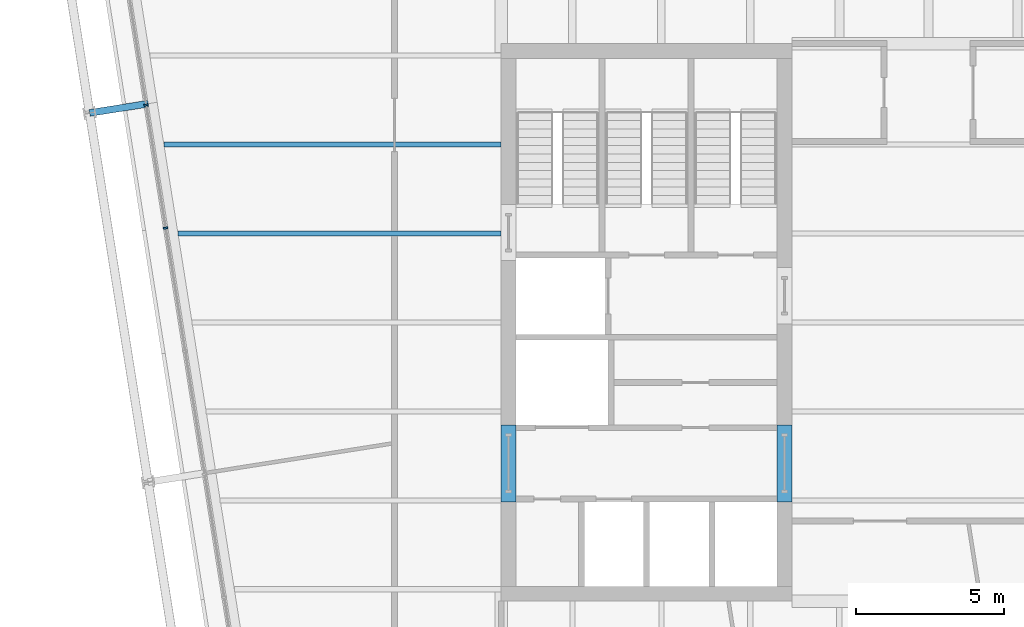
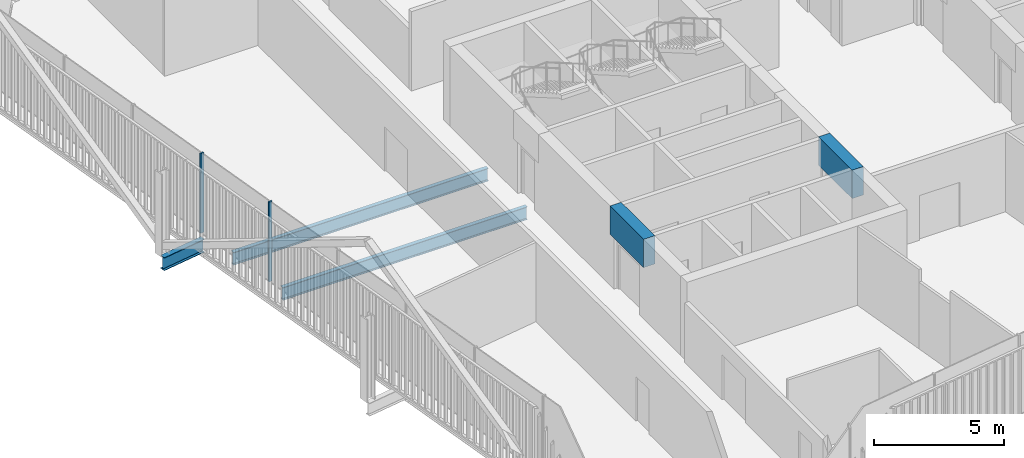
# One storey, part 7 of 21: 5 beams, 2 members, 1 element without a shape of its own.
"""IFC4 building model written with IfcOpenShell, lengths in metres."""

import ifcopenshell
import ifcopenshell.guid

model = None  # the IFC model being written
_history = None  # IfcOwnerHistory: only IFC2X3 demands one
_inside = {}  # id of a spatial element -> (the spatial element, [elements in it])
_under = {}  # id of a project, library or spatial element -> (it, [spatial elements below it])
_declared = {}  # id of a project -> (the project, [libraries it declares])
_typed = {}  # id of a type object -> (the type object, [elements of that type])
_made_of = {}  # id of a material, layer set ... -> (it, [elements and type objects made of it])


def new_model(schema):
    """Start an empty IFC model of exactly this schema.

    Asked for "IFC4X3", IfcOpenShell would pick the latest addendum, in which some entities
    have other attributes; the version numbers below select the first issue.
    IFC2X3 requires an IfcOwnerHistory on every rooted entity: one is made here for all.
    """
    global model, _history
    if schema == "IFC4X3":
        model = ifcopenshell.file(schema_version=(4, 3, 0, 0))
    else:
        model = ifcopenshell.file(schema=schema)
    _inside.clear()
    _under.clear()
    _declared.clear()
    _typed.clear()
    _made_of.clear()
    _history = None
    if model.schema == "IFC2X3":
        org = make("IfcOrganization", Name="unknown")
        user = make(
            "IfcPersonAndOrganization",
            ThePerson=make("IfcPerson", FamilyName="unknown"),
            TheOrganization=org,
        )
        app = make(
            "IfcApplication",
            ApplicationDeveloper=org,
            Version="unknown",
            ApplicationFullName="unknown",
            ApplicationIdentifier="unknown",
        )
        _history = make(
            "IfcOwnerHistory",
            OwningUser=user,
            OwningApplication=app,
            ChangeAction="ADDED",
            CreationDate=0,
        )
    return model


def make(cls, **values):
    """One entity of the class cls with the attributes given. An attribute that is None is left unset."""
    return model.create_entity(
        cls, **{name: value for name, value in values.items() if value is not None}
    )


def rooted(cls, **values):
    """An entity with a GlobalId (a new one), such as an element, a storey or a relation."""
    return make(cls, GlobalId=ifcopenshell.guid.new(), OwnerHistory=_history, **values)


def si_unit(unit_type, name, prefix=None):
    """IfcSIUnit, for example si_unit("LENGTHUNIT", "METRE", prefix="MILLI")."""
    return make("IfcSIUnit", UnitType=unit_type, Prefix=prefix, Name=name)


def assignment(units):
    """IfcUnitAssignment: the units of a project."""
    return None if units is None else make("IfcUnitAssignment", Units=units)


def point(xyz):
    """IfcCartesianPoint."""
    return None if xyz is None else make("IfcCartesianPoint", Coordinates=xyz)


def direction(xyz):
    """IfcDirection."""
    return None if xyz is None else make("IfcDirection", DirectionRatios=xyz)


def frame(location, z_axis=None, x_axis=None):
    """IfcAxis2Placement3D, a coordinate frame: its origin and axes. An axis left out is left unset."""
    return make(
        "IfcAxis2Placement3D",
        Location=point(location),
        Axis=direction(z_axis),
        RefDirection=direction(x_axis),
    )


def frame_2d(location, x_axis=None):
    """IfcAxis2Placement2D, a coordinate frame in the plane: its origin and x axis."""
    return make(
        "IfcAxis2Placement2D", Location=point(location), RefDirection=direction(x_axis)
    )


def origin():
    """The frame at (0, 0, 0) with its axes left unset."""
    return frame((0.0, 0.0, 0.0))


def origin_2d():
    """The frame at (0, 0) in the plane with its x axis left unset."""
    return frame_2d((0.0, 0.0))


def place(relative_to, where):
    """IfcLocalPlacement: puts the frame where relative to a parent placement (None: the world)."""
    return make(
        "IfcLocalPlacement", PlacementRelTo=relative_to, RelativePlacement=where
    )


def context(
    kind, dimensions, precision=None, world=None, true_north=None, identifier=None
):
    """IfcGeometricRepresentationContext, for example the 3D "Model" context."""
    return make(
        "IfcGeometricRepresentationContext",
        ContextIdentifier=identifier,
        ContextType=kind,
        CoordinateSpaceDimension=dimensions,
        Precision=precision,
        WorldCoordinateSystem=world,
        TrueNorth=true_north,
    )


def subcontext(parent, identifier, kind, view, scale=None):
    """IfcGeometricRepresentationSubContext, for example "Body" below "Model"."""
    return make(
        "IfcGeometricRepresentationSubContext",
        ContextIdentifier=identifier,
        ContextType=kind,
        ParentContext=parent,
        TargetScale=scale,
        TargetView=view,
    )


def project(units=None, contexts=None):
    """IfcProject with its units and contexts."""
    return rooted(
        "IfcProject",
        Name="project",
        RepresentationContexts=contexts,
        UnitsInContext=assignment(units),
    )


def spatial(cls, under=None, at=None, **own):
    """A site, building, storey or space (cls), placed at a placement, below another one or the project."""
    s = rooted(cls, ObjectPlacement=at, **own)
    if under is not None:
        _under.setdefault(under.id(), (under, []))[1].append(s)
    return s


def profile(cls, at=None, kind="AREA", **sizes):
    """A parametric profile (cls). Its sizes go by their IFC names, for example OverallWidth=200.0."""
    return make(cls, ProfileType=kind, Position=at, **sizes)


def rectangle(**sizes):
    """IfcRectangleProfileDef."""
    return profile("IfcRectangleProfileDef", **sizes)


def i_section(**sizes):
    """IfcIShapeProfileDef."""
    return profile("IfcIShapeProfileDef", **sizes)


def extrude(swept, where, along, depth):
    """IfcExtrudedAreaSolid: the profile swept, set in the frame where, extruded along a direction by depth."""
    return make(
        "IfcExtrudedAreaSolid",
        SweptArea=swept,
        Position=where,
        ExtrudedDirection=direction(along),
        Depth=depth,
    )


def shape(context_of_items, identifier, shape_type, items):
    """IfcShapeRepresentation: the items that make up one representation, for example the "Body"."""
    return make(
        "IfcShapeRepresentation",
        ContextOfItems=context_of_items,
        RepresentationIdentifier=identifier,
        RepresentationType=shape_type,
        Items=items,
    )


def material(Name=None, Category=None):
    """IfcMaterial."""
    return make("IfcMaterial", Name=Name, Category=Category)


def layer(
    of_material, thickness, ventilated=None, Name=None, Category=None, Priority=None
):
    """IfcMaterialLayer: one layer of a wall or slab, of a material (None: an air gap)."""
    return make(
        "IfcMaterialLayer",
        Material=of_material,
        LayerThickness=thickness,
        IsVentilated=ventilated,
        Name=Name,
        Category=Category,
        Priority=Priority,
    )


def layer_set(layers, Name=None):
    """IfcMaterialLayerSet."""
    return make("IfcMaterialLayerSet", MaterialLayers=layers, LayerSetName=Name)


def material_profile(
    of_material, cross_section, Name=None, Category=None, Priority=None
):
    """IfcMaterialProfile: a cross section and its material."""
    return make(
        "IfcMaterialProfile",
        Name=Name,
        Material=of_material,
        Profile=cross_section,
        Priority=Priority,
        Category=Category,
    )


def profile_set(profiles, Name=None, composite=None):
    """IfcMaterialProfileSet."""
    return make(
        "IfcMaterialProfileSet",
        Name=Name,
        MaterialProfiles=profiles,
        CompositeProfile=composite,
    )


def made_of(thing, what):
    """Note that an element or type object is made of a material, layer set ...; save() writes the relation."""
    if what is not None:
        _made_of.setdefault(what.id(), (what, []))[1].append(thing)
    return thing


def type_object(cls, material=None, **own):
    """A type object (cls), such as IfcWallType, which elements share."""
    return made_of(rooted(cls, **own), material)


def element(
    cls,
    number,
    at=None,
    inside=None,
    cuts=None,
    type_object=None,
    material=None,
    context=None,
    identifier="Body",
    shape_type=None,
    held_by="IfcProductDefinitionShape",
    body=None,
    shapes=None,
    **own,
):
    """One element of the class cls, such as IfcWall. Its Tag is "e" and its number.

    at: its placement. inside: the storey or other place that contains it. cuts: it is an
    opening in that element (IfcRelVoidsElement). A single representation is given by context,
    identifier, shape_type and body (its items); several are given by shapes. held_by: the class
    of the entity that holds the representations. save() writes the other relations.
    """
    e = rooted(cls, Tag="e%d" % number, ObjectPlacement=at, **own)
    if body is not None:
        shapes = [shape(context, identifier, shape_type, body)]
    if shapes is not None:
        e.Representation = make(held_by, Representations=shapes)
    if inside is not None:
        _inside.setdefault(inside.id(), (inside, []))[1].append(e)
    if cuts is not None:
        rooted(
            "IfcRelVoidsElement", RelatingBuildingElement=cuts, RelatedOpeningElement=e
        )
    if type_object is not None:
        _typed.setdefault(type_object.id(), (type_object, []))[1].append(e)
    return made_of(e, material)


def aggregate(whole, parts):
    """IfcRelAggregates: a whole, such as a stair, and the parts it consists of."""
    return rooted("IfcRelAggregates", RelatingObject=whole, RelatedObjects=parts)


def save(model, path):
    """Write the relations noted so far, then the file.

    IfcRelAggregates (storeys below a building ...), IfcRelContainedInSpatialStructure (elements
    in a storey), IfcRelDefinesByType, IfcRelAssociatesMaterial and IfcRelDeclares: one each for
    every whole, place, type object, material and project.
    """
    for whole, parts in _under.values():
        aggregate(whole, parts)
    for where, things in _inside.values():
        rooted(
            "IfcRelContainedInSpatialStructure",
            RelatedElements=things,
            RelatingStructure=where,
        )
    for kind, things in _typed.values():
        rooted("IfcRelDefinesByType", RelatedObjects=things, RelatingType=kind)
    for what, things in _made_of.values():
        rooted("IfcRelAssociatesMaterial", RelatedObjects=things, RelatingMaterial=what)
    for by, libraries in _declared.values():
        rooted("IfcRelDeclares", RelatingContext=by, RelatedDefinitions=libraries)
    model.write(path)


model = new_model("IFC4")

# Units and contexts
model_context = context("Model", 3, precision=1e-05, world=origin(), true_north=direction((0.0, 1.0)))
body_context = subcontext(model_context, "Body", "Model", "MODEL_VIEW")
ifc_project = project(units=[si_unit("LENGTHUNIT", "METRE"), si_unit("AREAUNIT", "SQUARE_METRE"), si_unit("VOLUMEUNIT", "CUBIC_METRE"), si_unit("PLANEANGLEUNIT", "RADIAN"), si_unit("MASSUNIT", "GRAM", prefix="KILO")], contexts=[model_context])

# Site, building, storey
site_placement = place(None, origin())
site = spatial("IfcSite", under=ifc_project, at=site_placement, CompositionType="ELEMENT")
building_placement = place(site_placement, origin())
building = spatial("IfcBuilding", under=site, at=building_placement, Name="Millrace Tower", CompositionType="ELEMENT")
storey_placement = place(building_placement, frame((0.0, 0.0, 255.199951171875)))
storey = spatial("IfcBuildingStorey", under=building, at=storey_placement, Name="L58", CompositionType="ELEMENT", Elevation=255.199951171875)

# Curtain wall, members
ifc_material_1 = material(Name="Aluminium and glass", Category="aluminium")
ifc_layer = layer(ifc_material_1, 0.14990234375)
ifc_layer_set = layer_set([ifc_layer], Name="Aluminium and glass")
curtain_wall_type = type_object("IfcCurtainWallType", Name="CW-1 office vision curtain wall", PredefinedType="NOTDEFINED", material=ifc_layer_set)
curtain_wall_placement = place(storey_placement, origin())
curtain_wall = element("IfcCurtainWall", 1, at=curtain_wall_placement, inside=storey, type_object=curtain_wall_type, Name="Curtain wall D-F08 L58", PredefinedType="NOTDEFINED")
ifc_material_2 = material(Name="Aluminium", Category="aluminium")
ifc_material_profile_1 = material_profile(ifc_material_2, rectangle(XDim=0.06494140625, YDim=0.14990234375, at=origin_2d()))
ifc_profile_set_1 = profile_set([ifc_material_profile_1], Name="Aluminium")
member_type = type_object("IfcMemberType", Name="CW-1 office vision curtain wall mullion", PredefinedType="MULLION", material=ifc_profile_set_1)
member_1_placement = place(storey_placement, frame((-26.371337890625, 7.33056640625, 0.14013671875), z_axis=(0.0, 0.0, 1.0), x_axis=(0.156434471884, -0.987688339511, 0.0)))
member_1 = element("IfcMember", 2, at=member_1_placement, type_object=member_type, Name="CW1 mullion D-F08.4", PredefinedType="MULLION", context=body_context, shape_type="SweptSolid", body=[
    extrude(rectangle(XDim=0.06494140625, YDim=0.14990234375, at=origin_2d()), origin(), (0.0, 0.0, 1.0), 3.760009765625),
])
member_2_placement = place(storey_placement, frame((-25.71435546875, 3.182373046875, 0.14013671875), z_axis=(0.0, 0.0, 1.0), x_axis=(0.156434471884, -0.987688339511, 0.0)))
member_2 = element("IfcMember", 3, at=member_2_placement, type_object=member_type, Name="CW1 mullion D-F08.5", PredefinedType="MULLION", context=body_context, shape_type="SweptSolid", body=[
    extrude(rectangle(XDim=0.06494140625, YDim=0.14990234375, at=origin_2d()), origin(), (0.0, 0.0, 1.0), 3.760009765625),
])
aggregate(curtain_wall, [member_1, member_2])

# Beams
ifc_material_3 = material(Name="Concrete C60", Category="concrete")
ifc_material_profile_2 = material_profile(ifc_material_3, rectangle(XDim=0.5, YDim=1.340087890625, at=origin_2d()))
ifc_profile_set_2 = profile_set([ifc_material_profile_2], Name="Concrete C60")
beam_type_1 = type_object("IfcBeamType", Name="Coupling beam 500 x 1340 Concrete C60, 2000 opening", PredefinedType="BEAM", material=ifc_profile_set_2)
for number, where, z_axis, x_axis, name in (
    (4, (-14.14990234375, -6.050048828125, 3.070068359375), (0.0, 1.0, 0.0), (-1.0, 0.0, 0.0), "Coupling beam W L58"),
    (5, (-4.85009765625, -6.050048828125, 3.070068359375), (0.0, 1.0, 0.0), (-1.0, 0.0, 0.0), "Coupling beam W L58"),
):
    element("IfcBeam", number, at=place(storey_placement, frame(where, z_axis=z_axis, x_axis=x_axis)), inside=storey, type_object=beam_type_1, Name=name, PredefinedType="BEAM", context=body_context, shape_type="SweptSolid", body=[
        extrude(rectangle(XDim=0.5, YDim=1.340087890625, at=origin_2d()), origin(), (0.0, 0.0, 1.0), 2.60009765625),
    ])
ifc_material_4 = material(Name="Steel ASTM A992 Grade 50", Category="steel")
ifc_material_profile_3 = material_profile(ifc_material_4, i_section(OverallWidth=0.1787109375, OverallDepth=0.60205078125, WebThickness=0.010986328125, FlangeThickness=0.014892578125, FilletRadius=0.0126953125, at=origin_2d()))
ifc_profile_set_3 = profile_set([ifc_material_profile_3], Name="Steel ASTM A992 Grade 50")
beam_type_2 = type_object("IfcBeamType", Name="Floor beam W24x62", PredefinedType="JOIST", material=ifc_profile_set_3)
beam_1_placement = place(storey_placement, frame((-25.29833984375, 3.0, -0.4609375), z_axis=(1.0, 0.0, 0.0), x_axis=(0.0, 1.0, 0.0)))
element("IfcBeam", 6, at=beam_1_placement, inside=storey, type_object=beam_type_2, Name="BM-D-L58-S1-S018", PredefinedType="JOIST", context=body_context, shape_type="SweptSolid", body=[
    extrude(i_section(OverallWidth=0.1787109375, OverallDepth=0.60205078125, WebThickness=0.010986328125, FlangeThickness=0.014892578125, FilletRadius=0.0126953125, at=origin_2d()), origin(), (0.0, 0.0, 1.0), 10.8984375),
])
beam_2_placement = place(storey_placement, frame((-25.7734375, 6.0, -0.4609375), z_axis=(1.0, 0.0, 0.0), x_axis=(0.0, 1.0, 0.0)))
element("IfcBeam", 7, at=beam_2_placement, inside=storey, type_object=beam_type_2, Name="BM-D-L58-S1-S021", PredefinedType="JOIST", context=body_context, shape_type="SweptSolid", body=[
    extrude(i_section(OverallWidth=0.1787109375, OverallDepth=0.60205078125, WebThickness=0.010986328125, FlangeThickness=0.014892578125, FilletRadius=0.0126953125, at=origin_2d()), origin(), (0.0, 0.0, 1.0), 11.37353515625),
])
ifc_material_5 = material(Name="Steel ASTM A992 Grade 50", Category="steel")
ifc_material_profile_4 = material_profile(ifc_material_5, i_section(OverallWidth=0.23046875, OverallDepth=0.6171875, WebThickness=0.01318359375, FlangeThickness=0.022216796875, FilletRadius=0.012939453125, at=origin_2d()))
ifc_profile_set_4 = profile_set([ifc_material_profile_4], Name="Steel ASTM A992 Grade 50")
beam_type_3 = type_object("IfcBeamType", Name="Link beam W24x94", PredefinedType="BEAM", material=ifc_profile_set_4)
beam_3_placement = place(storey_placement, frame((-26.302490234375, 7.37451171875, -0.468505859375), z_axis=(-0.987678691416, -0.156495375404, 0.0), x_axis=(0.156495375404, -0.987678691416, 0.0)))
element("IfcBeam", 8, at=beam_3_placement, inside=storey, type_object=beam_type_3, Name="LNK-D-L58-S1-03", PredefinedType="BEAM", context=body_context, shape_type="SweptSolid", body=[
    extrude(i_section(OverallWidth=0.23046875, OverallDepth=0.6171875, WebThickness=0.01318359375, FlangeThickness=0.022216796875, FilletRadius=0.012939453125, at=origin_2d()), origin(), (0.0, 0.0, 1.0), 2.0),
])

save(model, "model.ifc")
